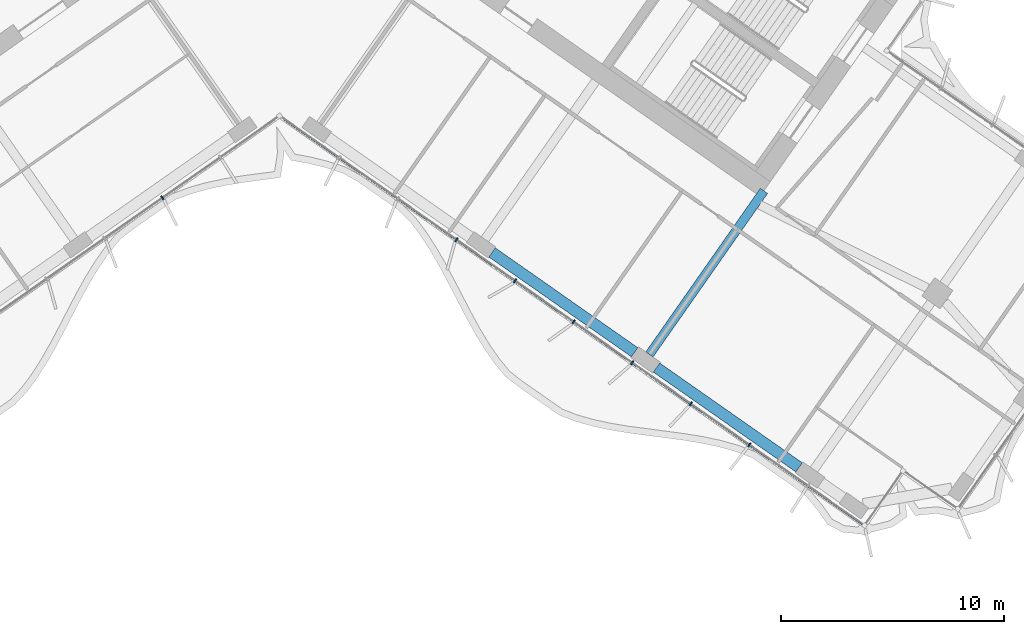
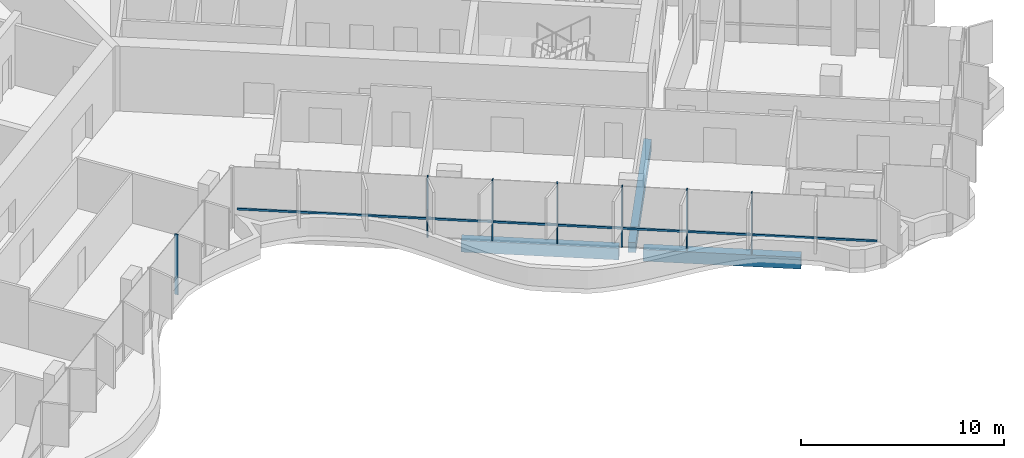
# One storey, part 5 of 21: 8 members, 3 beams, 1 element without a shape of its own.
"""IFC4 building model written with IfcOpenShell, lengths in metres."""

from ifc_helpers import new_model, si_unit, direction, frame, origin, origin_2d, place, context, subcontext, project, spatial, rectangle, extrude, material, material_profile, profile_set, type_object, element, aggregate, save


model = new_model("IFC4")

# Units and contexts
model_context = context("Model", 3, precision=1e-05, world=origin(), true_north=direction((0.0, 1.0)))
body_context = subcontext(model_context, "Body", "Model", "MODEL_VIEW")
ifc_project = project(units=[si_unit("LENGTHUNIT", "METRE"), si_unit("AREAUNIT", "SQUARE_METRE"), si_unit("VOLUMEUNIT", "CUBIC_METRE"), si_unit("PLANEANGLEUNIT", "RADIAN"), si_unit("MASSUNIT", "GRAM", prefix="KILO")], contexts=[model_context])

# Site, building, storey
site_placement = place(None, origin())
site = spatial("IfcSite", under=ifc_project, at=site_placement, CompositionType="ELEMENT")
building_placement = place(site_placement, origin())
building = spatial("IfcBuilding", under=site, at=building_placement, Name="Tel Ilan Convention Tower", CompositionType="ELEMENT")
storey_placement = place(building_placement, frame((0.0, 0.0, 163.199951171875)))
storey = spatial("IfcBuildingStorey", under=building, at=storey_placement, Name="L37", CompositionType="ELEMENT", Elevation=163.199951171875)

# Beams
ifc_material_1 = material(Name="Concrete C40/50", Category="concrete")
ifc_material_profile_1 = material_profile(ifc_material_1, rectangle(XDim=0.39990234375, YDim=0.60009765625, at=origin_2d()), Name="RC 400x600")
ifc_profile_set_1 = profile_set([ifc_material_profile_1], Name="Concrete C40/50")
beam_type_1 = type_object("IfcBeamType", Name="Beam RC 400x600 Concrete C40/50", PredefinedType="BEAM", material=ifc_profile_set_1)
beam_placement = place(storey_placement, frame((16.58203125, -23.391357421875, -0.579833984375), z_axis=(0.573584999642, 0.819146048141, 0.0), x_axis=(-0.819146048141, 0.573584999642, 0.0)))
element("IfcBeam", 1, at=beam_placement, inside=storey, type_object=beam_type_1, Name="L37 beam E-E-F3-core", PredefinedType="BEAM", context=body_context, shape_type="SweptSolid", body=[
    extrude(rectangle(XDim=0.39990234375, YDim=0.60009765625, at=origin_2d()), origin(), (0.0, 0.0, 1.0), 8.949951171875),
])
ifc_material_2 = material(Name="Concrete C40/50", Category="concrete")
ifc_material_profile_2 = material_profile(ifc_material_2, rectangle(XDim=0.5, YDim=0.699951171875, at=origin_2d()), Name="RC 500x700")
ifc_profile_set_2 = profile_set([ifc_material_profile_2], Name="Concrete C40/50")
beam_type_2 = type_object("IfcBeamType", Name="Beam RC 500x700 Concrete C40/50", PredefinedType="BEAM", material=ifc_profile_set_2)
for number, where, z_axis, x_axis, name in (
    (2, (9.529052734375, -18.819091796875, -0.6298828125), (0.819153977895, -0.573573674866, 0.0), (0.573573674866, 0.819153977895, 0.0), "L37 beam E-E-F2-E-F3"),
    (3, (16.901611328125, -23.981201171875, -0.6298828125), (0.819153977895, -0.573573674866, 0.0), (0.573573674866, 0.819153977895, 0.0), "L37 beam E-E-F3-E-F4"),
):
    element("IfcBeam", number, at=place(storey_placement, frame(where, z_axis=z_axis, x_axis=x_axis)), inside=storey, type_object=beam_type_2, Name=name, PredefinedType="BEAM", context=body_context, shape_type="SweptSolid", body=[
        extrude(rectangle(XDim=0.5, YDim=0.699951171875, at=origin_2d()), origin(), (0.0, 0.0, 1.0), 7.800048828125),
    ])

# Curtain wall, members
ifc_material_3 = material(Name="Aluminium, bronze anodised", Category="aluminium")
curtain_wall_type = type_object("IfcCurtainWallType", Name="CW4 STICK CURTAIN WALL, OFFICE TINTED GLASS", PredefinedType="NOTDEFINED", material=ifc_material_3)
curtain_wall_placement = place(storey_placement, origin())
curtain_wall = element("IfcCurtainWall", 4, at=curtain_wall_placement, inside=storey, type_object=curtain_wall_type, Name="Curtain wall CW4-29.02", PredefinedType="NOTDEFINED")
ifc_material_4 = material(Name="Aluminium, bronze anodised", Category="aluminium")
ifc_material_profile_3 = material_profile(ifc_material_4, rectangle(XDim=0.06005859375, YDim=0.199951171875, at=origin_2d()), Name="CW MULLION 60x200")
ifc_profile_set_3 = profile_set([ifc_material_profile_3], Name="Aluminium, bronze anodised")
member_type_1 = type_object("IfcMemberType", Name="CW MULLION 60x200", PredefinedType="MULLION", material=ifc_profile_set_3)
member_1_placement = place(storey_placement, frame((-5.24755859375, -16.370361328125, 0.0), z_axis=(0.0, 0.0, 1.0), x_axis=(0.819152044289, 0.573576436351, 0.0)))
member_1 = element("IfcMember", 5, at=member_1_placement, type_object=member_type_1, Name="Mullion", PredefinedType="MULLION", context=body_context, shape_type="SweptSolid", body=[
    extrude(rectangle(XDim=0.06005859375, YDim=0.199951171875, at=origin_2d()), origin(), (0.0, 0.0, 1.0), 3.6201171875),
])
member_2_placement = place(storey_placement, frame((7.932861328125, -18.250732421875, 0.0), z_axis=(0.0, 0.0, 1.0), x_axis=(0.819152044289, -0.573576436351, 0.0)))
member_2 = element("IfcMember", 6, at=member_2_placement, type_object=member_type_1, Name="Mullion", PredefinedType="MULLION", context=body_context, shape_type="SweptSolid", body=[
    extrude(rectangle(XDim=0.06005859375, YDim=0.199951171875, at=origin_2d()), origin(), (0.0, 0.0, 1.0), 3.6201171875),
])
member_3_placement = place(storey_placement, frame((10.55810546875, -20.0888671875, 0.0), z_axis=(0.0, 0.0, 1.0), x_axis=(0.819152044289, -0.573576436351, 0.0)))
member_3 = element("IfcMember", 7, at=member_3_placement, type_object=member_type_1, Name="Mullion", PredefinedType="MULLION", context=body_context, shape_type="SweptSolid", body=[
    extrude(rectangle(XDim=0.06005859375, YDim=0.199951171875, at=origin_2d()), origin(), (0.0, 0.0, 1.0), 3.6201171875),
])
member_4_placement = place(storey_placement, frame((13.183349609375, -21.92724609375, 0.0), z_axis=(0.0, 0.0, 1.0), x_axis=(0.819152044289, -0.573576436351, 0.0)))
member_4 = element("IfcMember", 8, at=member_4_placement, type_object=member_type_1, Name="Mullion", PredefinedType="MULLION", context=body_context, shape_type="SweptSolid", body=[
    extrude(rectangle(XDim=0.06005859375, YDim=0.199951171875, at=origin_2d()), origin(), (0.0, 0.0, 1.0), 3.6201171875),
])
member_5_placement = place(storey_placement, frame((15.80859375, -23.765380859375, 0.0), z_axis=(0.0, 0.0, 1.0), x_axis=(0.819152044289, -0.573576436351, 0.0)))
member_5 = element("IfcMember", 9, at=member_5_placement, type_object=member_type_1, Name="Mullion", PredefinedType="MULLION", context=body_context, shape_type="SweptSolid", body=[
    extrude(rectangle(XDim=0.06005859375, YDim=0.199951171875, at=origin_2d()), origin(), (0.0, 0.0, 1.0), 3.6201171875),
])
member_6_placement = place(storey_placement, frame((18.433837890625, -25.603515625, 0.0), z_axis=(0.0, 0.0, 1.0), x_axis=(0.819152044289, -0.573576436351, 0.0)))
member_6 = element("IfcMember", 10, at=member_6_placement, type_object=member_type_1, Name="Mullion", PredefinedType="MULLION", context=body_context, shape_type="SweptSolid", body=[
    extrude(rectangle(XDim=0.06005859375, YDim=0.199951171875, at=origin_2d()), origin(), (0.0, 0.0, 1.0), 3.6201171875),
])
member_7_placement = place(storey_placement, frame((21.05908203125, -27.441650390625, 0.0), z_axis=(0.0, 0.0, 1.0), x_axis=(0.819152044289, -0.573576436351, 0.0)))
member_7 = element("IfcMember", 11, at=member_7_placement, type_object=member_type_1, Name="Mullion", PredefinedType="MULLION", context=body_context, shape_type="SweptSolid", body=[
    extrude(rectangle(XDim=0.06005859375, YDim=0.199951171875, at=origin_2d()), origin(), (0.0, 0.0, 1.0), 3.6201171875),
])
ifc_material_5 = material(Name="Aluminium, bronze anodised", Category="aluminium")
ifc_material_profile_4 = material_profile(ifc_material_5, rectangle(XDim=0.10009765625, YDim=0.1201171875, at=origin_2d()), Name="CW TRANSOM 100x120")
ifc_profile_set_4 = profile_set([ifc_material_profile_4], Name="Aluminium, bronze anodised")
member_type_2 = type_object("IfcMemberType", Name="CW TRANSOM 100x120", PredefinedType="USERDEFINED", material=ifc_profile_set_4)
member_8_placement = place(storey_placement, frame((0.22119140625, -12.850830078125, 1.10009765625), z_axis=(0.819149281128, -0.573580382534, 0.0), x_axis=(0.573580382534, 0.819149281128, 0.0)))
member_8 = element("IfcMember", 12, at=member_8_placement, type_object=member_type_2, Name="Transom", ObjectType="TRANSOM", PredefinedType="USERDEFINED", context=body_context, shape_type="SweptSolid", body=[
    extrude(rectangle(XDim=0.10009765625, YDim=0.1201171875, at=origin_2d()), origin(), (0.0, 0.0, 1.0), 31.64794921875),
])
aggregate(curtain_wall, [member_1, member_2, member_3, member_4, member_5, member_6, member_7, member_8])

save(model, "model.ifc")
